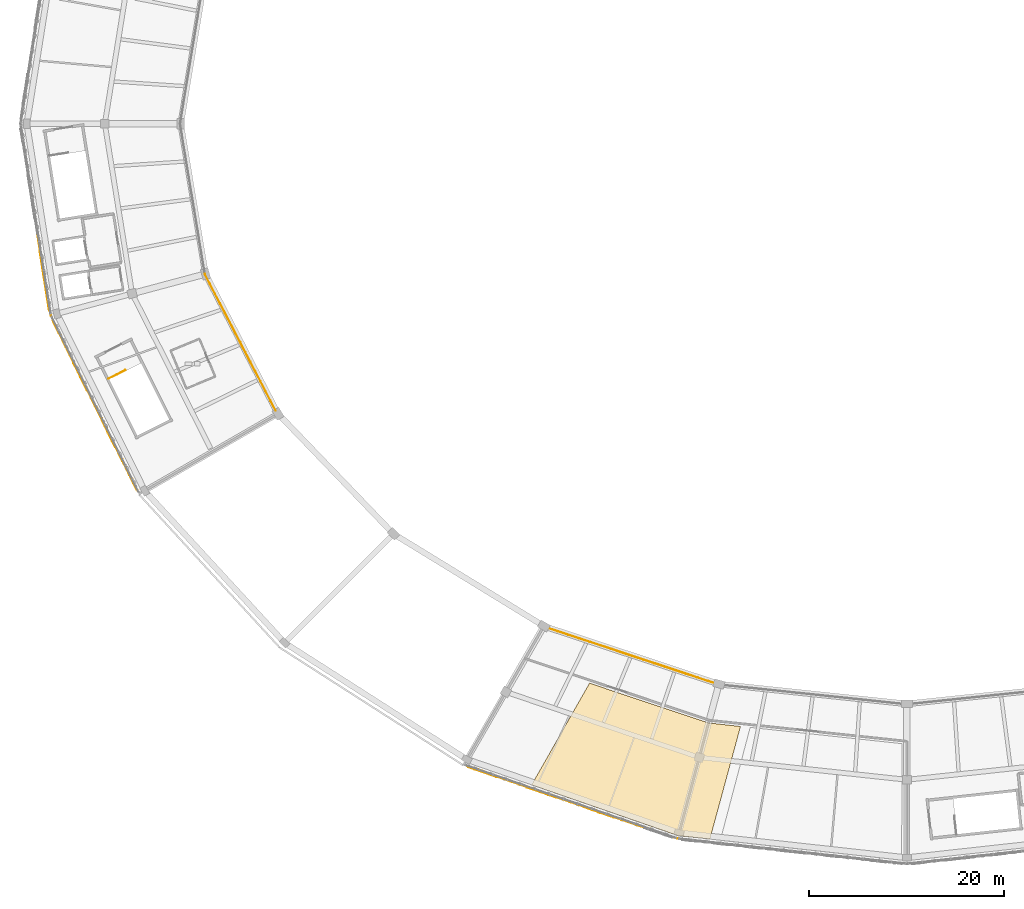
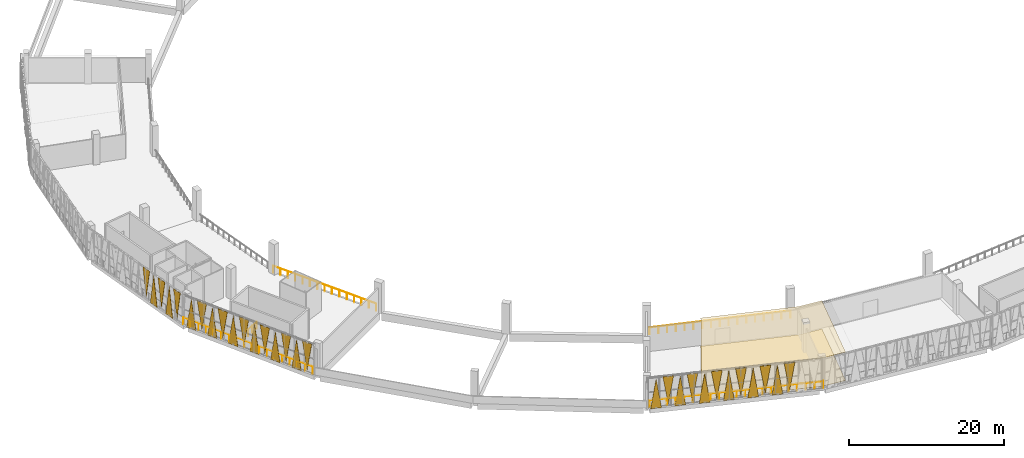
# One storey, part 55 of 64: 31 coverings, 5 railings.
"""IFC4 building model written with IfcOpenShell, lengths in metres."""

from ifc_helpers import new_model, si_unit, direction, frame, origin, origin_2d, place, context, subcontext, project, spatial, polyline, circle, outline, extrude, material, layer, layer_set, type_object, element, save


model = new_model("IFC4")

# Units and contexts
model_context = context("Model", 3, precision=1e-05, world=origin(), true_north=direction((0.0, 1.0)))
body_context = subcontext(model_context, "Body", "Model", "MODEL_VIEW")
ifc_project = project(units=[si_unit("LENGTHUNIT", "METRE"), si_unit("AREAUNIT", "SQUARE_METRE"), si_unit("VOLUMEUNIT", "CUBIC_METRE"), si_unit("PLANEANGLEUNIT", "RADIAN"), si_unit("MASSUNIT", "GRAM", prefix="KILO")], contexts=[model_context])

# Site, building, storey
site_placement = place(None, origin())
site = spatial("IfcSite", under=ifc_project, at=site_placement, CompositionType="ELEMENT")
building_placement = place(site_placement, origin())
building = spatial("IfcBuilding", under=site, at=building_placement, Name="Zevraka Park Crest Stadium", CompositionType="ELEMENT")
storey_placement = place(building_placement, frame((0.0, 0.0, 24.60009765625)))
storey = spatial("IfcBuildingStorey", under=building, at=storey_placement, Name="L05", CompositionType="ELEMENT", Elevation=24.60009765625)

# Coverings
ifc_material_1 = material(Name="Architectural golden-bronze perforated aluminium", Category="aluminium")
ifc_layer_1 = layer(ifc_material_1, 0.034912109375)
ifc_layer_set_1 = layer_set([ifc_layer_1], Name="Architectural golden-bronze perforated aluminium")
covering_type_1 = type_object("IfcCoveringType", Name="CLD01", PredefinedType="CLADDING", material=ifc_layer_set_1)
covering_1_placement = place(storey_placement, frame((23.031982421875, 79.114013671875, 4.599853515625), z_axis=(-0.987787966808, -0.155804140522, 4.9242159e-05), x_axis=(-0.155804140711, 0.987787968006, 0.0)))
element("IfcCovering", 1, at=covering_1_placement, inside=storey, type_object=covering_type_1, Name="Triangular Golden-Bronze Perforated Cladding L05-12-8", PredefinedType="CLADDING", context=body_context, shape_type="SweptSolid", body=[
    extrude(outline(polyline([(0.0, 0.0), (1.424376958868296, -1.6940658945086007e-21), (0.7116046005646023, 4.37988281781015), (0.0, 0.0)])), origin(), (0.0, 0.0, -1.0), 0.034912109375),
])
covering_2_placement = place(storey_placement, frame((23.055908203125, 78.9560546875, -0.22021484375), z_axis=(0.987761575377, 0.155971374908, 2.0427936e-05), x_axis=(0.15597137494, -0.987761575584, 0.0)))
element("IfcCovering", 2, at=covering_2_placement, inside=storey, type_object=covering_type_1, Name="Triangular Golden-Bronze Perforated Cladding L05-12-9", PredefinedType="CLADDING", context=body_context, shape_type="SweptSolid", body=[
    extrude(outline(polyline([(0.0, 0.0), (1.4244150174031942, 0.0), (0.712810390522632, -4.660156250972343), (0.0, 0.0)])), origin(), (0.0, 0.0, -1.0), 0.034912109375),
])
covering_3_placement = place(storey_placement, frame((23.52490234375, 75.98388671875, 4.599853515625), z_axis=(0.987792127663, 0.155777766142, 1.0163909e-05), x_axis=(-0.155777766151, 0.987792127714, 0.0)))
element("IfcCovering", 3, at=covering_3_placement, inside=storey, type_object=covering_type_1, Name="Triangular Golden-Bronze Perforated Cladding L05-12-10", PredefinedType="CLADDING", context=body_context, shape_type="SweptSolid", body=[
    extrude(outline(polyline([(0.0, 0.0), (1.4246181185479923, 0.0), (0.7118077230585413, -4.379882812726232), (0.0, 0.0)])), origin(), (0.0, 0.0, -1.0), 0.034912109375),
])
covering_4_placement = place(storey_placement, frame((23.550048828125, 75.825927734375, -0.22021484375), z_axis=(0.987787967288, 0.155804140598, 3.81182e-05), x_axis=(0.155804140711, -0.987787968006, 0.0)))
element("IfcCovering", 4, at=covering_4_placement, inside=storey, type_object=covering_type_1, Name="Triangular Golden-Bronze Perforated Cladding L05-12-11", PredefinedType="CLADDING", context=body_context, shape_type="SweptSolid", body=[
    extrude(outline(polyline([(0.0, 0.0), (1.424376958868296, 0.0), (0.7125311991318173, -4.660156253385598), (0.0, 0.0)])), origin(), (0.0, 0.0, -1.0), 0.034912109375),
])
covering_5_placement = place(storey_placement, frame((24.01806640625, 72.85400390625, 4.599853515625), z_axis=(0.987893266728, 0.155135069649, 6.0981172e-05), x_axis=(-0.155135069938, 0.987893268565, 0.0)))
element("IfcCovering", 5, at=covering_5_placement, inside=storey, type_object=covering_type_1, Name="Triangular Golden-Bronze Perforated Cladding L05-12-12", PredefinedType="CLADDING", context=body_context, shape_type="SweptSolid", body=[
    extrude(outline(polyline([(0.0, 0.0), (1.4242251330644342, -1.6940658945086007e-21), (0.7114527921727644, -4.3798828206437435), (0.0, 0.0)])), origin(), (0.0, 0.0, -1.0), 0.034912109375),
])
covering_6_placement = place(storey_placement, frame((24.3359375, 71.85498046875, -0.22021484375), z_axis=(-0.895619480658, -0.444821021261, 7.0067675e-05), x_axis=(0.444821022353, -0.895619482857, 0.0)))
element("IfcCovering", 6, at=covering_6_placement, inside=storey, type_object=covering_type_1, Name="Triangular Golden-Bronze Perforated Cladding L05-13-1", PredefinedType="CLADDING", context=body_context, shape_type="SweptSolid", body=[
    extrude(outline(polyline([(0.0, 0.0), (1.4703728050326461, -6.776263578034403e-21), (0.7348033877569146, 4.660156261439471), (0.0, 0.0)])), origin(), (0.0, 0.0, -1.0), 0.034912109375),
])
covering_7_placement = place(storey_placement, frame((25.714111328125, 69.077880859375, 4.599853515625), z_axis=(-0.895916762874, -0.444221935253, 0.00016199135), x_axis=(-0.444221941081, 0.895916774629, 0.0)))
element("IfcCovering", 7, at=covering_7_placement, inside=storey, type_object=covering_type_1, Name="Triangular Golden-Bronze Perforated Cladding L05-13-2", PredefinedType="CLADDING", context=body_context, shape_type="SweptSolid", body=[
    extrude(outline(polyline([(0.0, 0.0), (1.4701573953898759, -1.3552527156068805e-20), (0.7350217347288147, 4.379882869966686), (0.0, 0.0)])), origin(), (0.0, 0.0, -1.0), 0.034912109375),
])
covering_8_placement = place(storey_placement, frame((25.784912109375, 68.93505859375, -0.22021484375), z_axis=(-0.895916773061, -0.444221940304, 5.9159529e-05), x_axis=(0.444221941081, -0.895916774629, 0.0)))
element("IfcCovering", 8, at=covering_8_placement, inside=storey, type_object=covering_type_1, Name="Triangular Golden-Bronze Perforated Cladding L05-13-3", PredefinedType="CLADDING", context=body_context, shape_type="SweptSolid", body=[
    extrude(outline(polyline([(0.0, 0.0), (1.4701573953898759, 0.0), (0.7358966534540385, 4.660156258154923), (0.0, 0.0)])), origin(), (0.0, 0.0, -1.0), 0.034912109375),
])
covering_9_placement = place(storey_placement, frame((27.162109375, 66.156982421875, 4.599853515625), z_axis=(0.895916769005, 0.444221938292, 0.000112051731), x_axis=(-0.444221941081, 0.895916774629, 0.0)))
element("IfcCovering", 9, at=covering_9_placement, inside=storey, type_object=covering_type_1, Name="Triangular Golden-Bronze Perforated Cladding L05-13-4", PredefinedType="CLADDING", context=body_context, shape_type="SweptSolid", body=[
    extrude(outline(polyline([(0.0, 0.0), (1.4701573953898759, 0.0), (0.7352441132833955, -4.379882839996008), (0.0, 0.0)])), origin(), (0.0, 0.0, -1.0), 0.034912109375),
])
covering_10_placement = place(storey_placement, frame((27.23388671875, 66.013916015625, -0.22021484375), z_axis=(0.895883991204, 0.444288037907, 0.000116953168), x_axis=(0.444288040945, -0.895883997331, 0.0)))
element("IfcCovering", 10, at=covering_10_placement, inside=storey, type_object=covering_type_1, Name="Triangular Golden-Bronze Perforated Cladding L05-13-5", PredefinedType="CLADDING", context=body_context, shape_type="SweptSolid", body=[
    extrude(outline(polyline([(0.0, 0.0), (1.469938669709407, 0.0), (0.7352440750727806, -4.66015628187091), (0.0, 0.0)])), origin(), (0.0, 0.0, -1.0), 0.034912109375),
])
covering_11_placement = place(storey_placement, frame((28.611083984375, 63.237060546875, 4.599853515625), z_axis=(-0.89588398371, -0.444288034191, 0.000174374918), x_axis=(-0.444288040945, 0.895883997331, 0.0)))
element("IfcCovering", 11, at=covering_11_placement, inside=storey, type_object=covering_type_1, Name="Triangular Golden-Bronze Perforated Cladding L05-13-6", PredefinedType="CLADDING", context=body_context, shape_type="SweptSolid", body=[
    extrude(outline(polyline([(0.0, 0.0), (1.4699386697094075, -1.3552527156068805e-20), (0.7348030633966232, 4.3798828790887), (0.0, 0.0)])), origin(), (0.0, 0.0, -1.0), 0.034912109375),
])
covering_12_placement = place(storey_placement, frame((28.681884765625, 63.093017578125, -0.22021484375), z_axis=(-0.895916760829, -0.444221934239, 0.000175521099), x_axis=(0.444221941081, -0.895916774629, 0.0)))
element("IfcCovering", 12, at=covering_12_placement, inside=storey, type_object=covering_type_1, Name="Triangular Golden-Bronze Perforated Cladding L05-13-7", PredefinedType="CLADDING", context=body_context, shape_type="SweptSolid", body=[
    extrude(outline(polyline([(0.0, 0.0), (1.4701573953898759, 0.0), (0.7348030050475087, 4.660156321784249), (0.0, 0.0)])), origin(), (0.0, 0.0, -1.0), 0.034912109375),
])
covering_13_placement = place(storey_placement, frame((30.05908203125, 60.31591796875, 4.599853515625), z_axis=(0.895916766244, 0.444221936924, 0.000136813266), x_axis=(-0.444221941081, 0.895916774629, 0.0)))
element("IfcCovering", 13, at=covering_13_placement, inside=storey, type_object=covering_type_1, Name="Triangular Golden-Bronze Perforated Cladding L05-13-8", PredefinedType="CLADDING", context=body_context, shape_type="SweptSolid", body=[
    extrude(outline(polyline([(0.0, 0.0), (1.4701573953898759, 0.0), (0.7354628429647014, -4.37988285349104), (0.0, 0.0)])), origin(), (0.0, 0.0, -1.0), 0.034912109375),
])
covering_14_placement = place(storey_placement, frame((30.131103515625, 60.173095703125, -0.22021484375), z_axis=(0.89598285047, 0.444088626906, 0.000152042501), x_axis=(0.444088632039, -0.895982860826, 0.0)))
element("IfcCovering", 14, at=covering_14_placement, inside=storey, type_object=covering_type_1, Name="Triangular Golden-Bronze Perforated Cladding L05-13-9", PredefinedType="CLADDING", context=body_context, shape_type="SweptSolid", body=[
    extrude(outline(polyline([(0.0, 0.0), (1.4700489590400176, -1.3552527156068805e-20), (0.7353545039067246, -4.660156303864236), (0.0, 0.0)])), origin(), (0.0, 0.0, -1.0), 0.034912109375),
])
covering_15_placement = place(storey_placement, frame((31.508056640625, 57.39501953125, 4.599853515625), z_axis=(-0.89588399479, -0.444288039685, 7.5314042e-05), x_axis=(-0.444288040945, 0.895883997331, 0.0)))
element("IfcCovering", 15, at=covering_15_placement, inside=storey, type_object=covering_type_1, Name="Triangular Golden-Bronze Perforated Cladding L05-13-10", PredefinedType="CLADDING", context=body_context, shape_type="SweptSolid", body=[
    extrude(outline(polyline([(0.0, 0.0), (1.469938669709407, 0.0), (0.7356779501127663, 4.379882824921798), (0.0, 0.0)])), origin(), (0.0, 0.0, -1.0), 0.034912109375),
])
covering_16_placement = place(storey_placement, frame((31.5791015625, 57.251953125, -0.22021484375), z_axis=(-0.895950091947, -0.444154717439, 0.000140413329), x_axis=(0.444154721818, -0.89595010078, 0.0)))
element("IfcCovering", 16, at=covering_16_placement, inside=storey, type_object=covering_type_1, Name="Triangular Golden-Bronze Perforated Cladding L05-13-11", PredefinedType="CLADDING", context=body_context, shape_type="SweptSolid", body=[
    extrude(outline(polyline([(0.0, 0.0), (1.4698302172231181, 0.0), (0.7346945053991754, 4.660156295939595), (0.0, 0.0)])), origin(), (0.0, 0.0, -1.0), 0.034912109375),
])
covering_17_placement = place(storey_placement, frame((32.95703125, 54.47509765625, 4.599853515625), z_axis=(-0.895619480368, -0.444821021117, 7.4551381e-05), x_axis=(-0.444821022353, 0.895619482857, 0.0)))
element("IfcCovering", 17, at=covering_17_placement, inside=storey, type_object=covering_type_1, Name="Triangular Golden-Bronze Perforated Cladding L05-13-12", PredefinedType="CLADDING", context=body_context, shape_type="SweptSolid", body=[
    extrude(outline(polyline([(0.0, 0.0), (1.4703728050326461, 0.0), (0.7348033877569146, 4.379882824671494), (0.0, 0.0)])), origin(), (0.0, 0.0, -1.0), 0.034912109375),
])
covering_18_placement = place(storey_placement, frame((67.0009765625, 26.009033203125, -0.22021484375), z_axis=(0.326876778468, 0.945066958674, 0.00012377763), x_axis=(0.945066965914, -0.326876780972, 0.0)))
element("IfcCovering", 18, at=covering_18_placement, inside=storey, type_object=covering_type_1, Name="Triangular Golden-Bronze Perforated Cladding L05-16-1", PredefinedType="CLADDING", context=body_context, shape_type="SweptSolid", body=[
    extrude(outline(polyline([(0.0, 0.0), (1.4347734924150557, 6.776263578034403e-21), (0.7175862559615392, -4.660156285698899), (0.0, 0.0)])), origin(), (0.0, 0.0, -1.0), 0.034912109375),
])
covering_19_placement = place(storey_placement, frame((69.863037109375, 25.01904296875, 4.599853515625), z_axis=(0.326478757081, 0.945204539279, 1.0053247e-05), x_axis=(-0.945204539327, 0.326478757097, 0.0)))
element("IfcCovering", 19, at=covering_19_placement, inside=storey, type_object=covering_type_1, Name="Triangular Golden-Bronze Perforated Cladding L05-16-2", PredefinedType="CLADDING", context=body_context, shape_type="SweptSolid", body=[
    extrude(outline(polyline([(0.0, 0.0), (1.4335314869677471, 0.0), (0.716264364466002, -4.379882812721332), (0.0, 0.0)])), origin(), (0.0, 0.0, -1.0), 0.034912109375),
])
covering_20_placement = place(storey_placement, frame((70.014892578125, 24.966064453125, -0.22021484375), z_axis=(-0.3270345498, -0.945012382061, 3.1429809e-05), x_axis=(0.945012382528, -0.327034549962, 0.0)))
element("IfcCovering", 20, at=covering_20_placement, inside=storey, type_object=covering_type_1, Name="Triangular Golden-Bronze Perforated Cladding L05-16-3", PredefinedType="CLADDING", context=body_context, shape_type="SweptSolid", body=[
    extrude(outline(polyline([(0.0, 0.0), (1.4340813246800908, -1.6940658945086007e-21), (0.7163441089266511, 4.660156252301728), (0.0, 0.0)])), origin(), (0.0, 0.0, -1.0), 0.034912109375),
])
covering_21_placement = place(storey_placement, frame((72.876953125, 23.97607421875, 4.599853515625), z_axis=(-0.327087166822, -0.944994157138, 0.000168152716), x_axis=(-0.944994170498, 0.327087171446, 0.0)))
element("IfcCovering", 21, at=covering_21_placement, inside=storey, type_object=covering_type_1, Name="Triangular Golden-Bronze Perforated Cladding L05-16-4", PredefinedType="CLADDING", context=body_context, shape_type="SweptSolid", body=[
    extrude(outline(polyline([(0.0, 0.0), (1.433850610989357, 0.0), (0.7171870902633259, 4.37988287442133), (0.0, 0.0)])), origin(), (0.0, 0.0, -1.0), 0.034912109375),
])
covering_22_placement = place(storey_placement, frame((73.028076171875, 23.924072265625, -0.22021484375), z_axis=(0.326876778468, 0.945066958674, 0.00012377763), x_axis=(0.945066965914, -0.326876780972, 0.0)))
element("IfcCovering", 22, at=covering_22_placement, inside=storey, type_object=covering_type_1, Name="Triangular Golden-Bronze Perforated Cladding L05-16-5", PredefinedType="CLADDING", context=body_context, shape_type="SweptSolid", body=[
    extrude(outline(polyline([(0.0, 0.0), (1.4347734924150557, 6.776263578034403e-21), (0.7175862559615392, -4.660156285698899), (0.0, 0.0)])), origin(), (0.0, 0.0, -1.0), 0.034912109375),
])
covering_23_placement = place(storey_placement, frame((75.89111328125, 22.93310546875, 4.599853515625), z_axis=(0.32682422231, 0.945085140516, 6.9911683e-05), x_axis=(-0.945085142826, 0.326824223109, 0.0)))
element("IfcCovering", 23, at=covering_23_placement, inside=storey, type_object=covering_type_1, Name="Triangular Golden-Bronze Perforated Cladding L05-16-6", PredefinedType="CLADDING", context=body_context, shape_type="SweptSolid", body=[
    extrude(outline(polyline([(0.0, 0.0), (1.4350042238738205, 0.0), (0.7177371653807764, -4.379882823203652), (0.0, 0.0)])), origin(), (0.0, 0.0, -1.0), 0.034912109375),
])
covering_24_placement = place(storey_placement, frame((76.0419921875, 22.881103515625, -0.22021484375), z_axis=(-0.326876780071, -0.945066963307, 7.4266578e-05), x_axis=(0.945066965914, -0.326876780972, 0.0)))
element("IfcCovering", 24, at=covering_24_placement, inside=storey, type_object=covering_type_1, Name="Triangular Golden-Bronze Perforated Cladding L05-16-7", PredefinedType="CLADDING", context=body_context, shape_type="SweptSolid", body=[
    extrude(outline(polyline([(0.0, 0.0), (1.4347734924150557, 6.776263578034403e-21), (0.717267040355121, 4.660156262851604), (0.0, 0.0)])), origin(), (0.0, 0.0, -1.0), 0.034912109375),
])
covering_25_placement = place(storey_placement, frame((78.905029296875, 21.89111328125, 4.599853515625), z_axis=(-0.326876778138, -0.945066957718, 0.000131698294), x_axis=(-0.945066965914, 0.326876780972, 0.0)))
element("IfcCovering", 25, at=covering_25_placement, inside=storey, type_object=covering_type_1, Name="Triangular Golden-Bronze Perforated Cladding L05-16-8", PredefinedType="CLADDING", context=body_context, shape_type="SweptSolid", body=[
    extrude(outline(polyline([(0.0, 0.0), (1.4347734924150557, 6.776263578034403e-21), (0.7171872364535165, 4.379882850483309), (0.0, 0.0)])), origin(), (0.0, 0.0, -1.0), 0.034912109375),
])
covering_26_placement = place(storey_placement, frame((79.055908203125, 21.839111328125, -0.22021484375), z_axis=(0.326824220246, 0.945085134549, 0.000132340997), x_axis=(0.945085142826, -0.326824223109, 0.0)))
element("IfcCovering", 26, at=covering_26_placement, inside=storey, type_object=covering_type_1, Name="Triangular Golden-Bronze Perforated Cladding L05-16-9", PredefinedType="CLADDING", context=body_context, shape_type="SweptSolid", body=[
    extrude(outline(polyline([(0.0, 0.0), (1.4350042238738205, -6.776263578034403e-21), (0.7175862227734235, -4.660156290809314), (0.0, 0.0)])), origin(), (0.0, 0.0, -1.0), 0.034912109375),
])
covering_27_placement = place(storey_placement, frame((81.9189453125, 20.847900390625, 4.599853515625), z_axis=(0.326876778138, 0.945066957718, 0.000131698294), x_axis=(-0.945066965914, 0.326876780972, 0.0)))
element("IfcCovering", 27, at=covering_27_placement, inside=storey, type_object=covering_type_1, Name="Triangular Golden-Bronze Perforated Cladding L05-16-10", PredefinedType="CLADDING", context=body_context, shape_type="SweptSolid", body=[
    extrude(outline(polyline([(0.0, 0.0), (1.4347734924150557, 6.776263578034403e-21), (0.7175862559615392, -4.379882850483309), (0.0, 0.0)])), origin(), (0.0, 0.0, -1.0), 0.034912109375),
])
covering_28_placement = place(storey_placement, frame((82.070068359375, 20.7958984375, -0.22021484375), z_axis=(-0.327087167362, -0.944994158697, 0.000158039592), x_axis=(0.944994170498, -0.327087171446, 0.0)))
element("IfcCovering", 28, at=covering_28_placement, inside=storey, type_object=covering_type_1, Name="Triangular Golden-Bronze Perforated Cladding L05-16-11", PredefinedType="CLADDING", context=body_context, shape_type="SweptSolid", body=[
    extrude(outline(polyline([(0.0, 0.0), (1.433850610989357, 0.0), (0.7171870902633259, 4.660156308197227), (0.0, 0.0)])), origin(), (0.0, 0.0, -1.0), 0.034912109375),
])
covering_29_placement = place(storey_placement, frame((84.931884765625, 19.805908203125, 4.599853515625), z_axis=(-0.32708717115, -0.944994169643, 4.2548323e-05), x_axis=(-0.944994170498, 0.327087171446, 0.0)))
element("IfcCovering", 29, at=covering_29_placement, inside=storey, type_object=covering_type_1, Name="Triangular Golden-Bronze Perforated Cladding L05-16-12", PredefinedType="CLADDING", context=body_context, shape_type="SweptSolid", body=[
    extrude(outline(polyline([(0.0, 0.0), (1.433850610989357, 3.3881317890172014e-21), (0.7163440996601654, 4.379882816464582), (0.0, 0.0)])), origin(), (0.0, 0.0, -1.0), 0.034912109375),
])
ifc_material_2 = material(Name="Perforated acoustic mineral-fibre suspended ceiling", Category="other")
ifc_layer_2 = layer(ifc_material_2, 0.02490234375)
ifc_layer_set_2 = layer_set([ifc_layer_2], Name="Perforated acoustic mineral-fibre suspended ceiling")
covering_type_2 = type_object("IfcCoveringType", Name="CLG01", PredefinedType="CEILING", material=ifc_layer_set_2)
covering_30_placement = place(storey_placement, frame((0.0, 0.0, 4.47998046875)))
element("IfcCovering", 30, at=covering_30_placement, inside=storey, type_object=covering_type_2, Name="Acoustic Ceiling Accredited Media Dining Lounge L05-027", PredefinedType="CEILING", context=body_context, shape_type="SweptSolid", body=[
    extrude(outline(polyline([(88.534912109375, 18.962890625), (73.489013671875, 24.176025390625), (79.43603515625, 34.613037109375), (91.636962890625, 30.541015625), (91.656982421875, 30.535888671875), (91.677978515625, 30.531982421875), (94.925048828125, 30.1708984375), (91.787109375, 18.6259765625), (88.534912109375, 18.962890625)])), origin(), (0.0, 0.0, 1.0), 0.02490234375),
])
ifc_material_3 = material(Name="Honed terrazzo and slip-resistant sports flooring", Category="other")
ifc_layer_3 = layer(ifc_material_3, 0.0400390625)
ifc_layer_set_3 = layer_set([ifc_layer_3], Name="Honed terrazzo and slip-resistant sports flooring")
covering_type_3 = type_object("IfcCoveringType", Name="FLR01", PredefinedType="FLOORING", material=ifc_layer_set_3)
covering_31_placement = place(storey_placement, origin())
element("IfcCovering", 31, at=covering_31_placement, inside=storey, type_object=covering_type_3, Name="Terrazzo Floor Finish Accredited Media Dining Lounge L05-027", PredefinedType="FLOORING", context=body_context, shape_type="SweptSolid", body=[
    extrude(outline(polyline([(88.534912109375, 18.962890625), (73.489013671875, 24.176025390625), (79.43603515625, 34.613037109375), (91.636962890625, 30.541015625), (91.656982421875, 30.535888671875), (91.677978515625, 30.531982421875), (94.925048828125, 30.1708984375), (91.787109375, 18.6259765625), (88.534912109375, 18.962890625)])), origin(), (0.0, 0.0, 1.0), 0.039794921875),
])

# Railings
ifc_material_4 = material(Name="Galvanised and bronze-finished steel balustrade", Category="steel")
railing_type_1 = type_object("IfcRailingType", Name="GR01", PredefinedType="GUARDRAIL", material=ifc_material_4)
railing_1_placement = place(storey_placement, frame((75.092041015625, 40.283935546875, 0.0)))
element("IfcRailing", 32, at=railing_1_placement, inside=storey, type_object=railing_type_1, Name="Deck Edge Protection Guardrail GR01 L05-9", PredefinedType="GUARDRAIL", context=body_context, shape_type="SweptSolid", body=[
    extrude(circle(Radius=0.02392578125, at=origin_2d()), frame((0.0, 0.0, 1.076171875), z_axis=(0.949420228178, -0.314008328436, 0.0), x_axis=(0.314008328436, 0.949420228178, 0.0)), (0.0, 0.0, 1.0), 18.553466796875),
    extrude(circle(Radius=0.02099609375, at=origin_2d()), origin(), (0.0, 0.0, 1.0), 1.052001953125),
    extrude(circle(Radius=0.02099609375, at=origin_2d()), frame((1.100830078125, -0.364013671875, 0.0)), (0.0, 0.0, 1.0), 1.052001953125),
    extrude(circle(Radius=0.02099609375, at=origin_2d()), frame((2.201904296875, -0.728271484375, 0.0)), (0.0, 0.0, 1.0), 1.052001953125),
    extrude(circle(Radius=0.02099609375, at=origin_2d()), frame((3.302734375, -1.09228515625, 0.0)), (0.0, 0.0, 1.0), 1.052001953125),
    extrude(circle(Radius=0.02099609375, at=origin_2d()), frame((4.40380859375, -1.45654296875, 0.0)), (0.0, 0.0, 1.0), 1.052001953125),
    extrude(circle(Radius=0.02099609375, at=origin_2d()), frame((5.504638671875, -1.820556640625, 0.0)), (0.0, 0.0, 1.0), 1.052001953125),
    extrude(circle(Radius=0.02099609375, at=origin_2d()), frame((6.605712890625, -2.184814453125, 0.0)), (0.0, 0.0, 1.0), 1.052001953125),
    extrude(circle(Radius=0.02099609375, at=origin_2d()), frame((7.70654296875, -2.548828125, 0.0)), (0.0, 0.0, 1.0), 1.052001953125),
    extrude(circle(Radius=0.02099609375, at=origin_2d()), frame((8.8076171875, -2.9130859375, 0.0)), (0.0, 0.0, 1.0), 1.052001953125),
    extrude(circle(Radius=0.02099609375, at=origin_2d()), frame((9.908447265625, -3.277099609375, 0.0)), (0.0, 0.0, 1.0), 1.052001953125),
    extrude(circle(Radius=0.02099609375, at=origin_2d()), frame((11.00927734375, -3.64111328125, 0.0)), (0.0, 0.0, 1.0), 1.052001953125),
    extrude(circle(Radius=0.02099609375, at=origin_2d()), frame((12.1103515625, -4.00537109375, 0.0)), (0.0, 0.0, 1.0), 1.052001953125),
    extrude(circle(Radius=0.02099609375, at=origin_2d()), frame((13.211181640625, -4.369384765625, 0.0)), (0.0, 0.0, 1.0), 1.052001953125),
    extrude(circle(Radius=0.02099609375, at=origin_2d()), frame((14.312255859375, -4.733642578125, 0.0)), (0.0, 0.0, 1.0), 1.052001953125),
    extrude(circle(Radius=0.02099609375, at=origin_2d()), frame((15.4130859375, -5.09765625, 0.0)), (0.0, 0.0, 1.0), 1.052001953125),
    extrude(circle(Radius=0.02099609375, at=origin_2d()), frame((16.51416015625, -5.4619140625, 0.0)), (0.0, 0.0, 1.0), 1.052001953125),
    extrude(circle(Radius=0.02099609375, at=origin_2d()), frame((17.614990234375, -5.825927734375, 0.0)), (0.0, 0.0, 1.0), 1.052001953125),
])
railing_2_placement = place(storey_placement, frame((88.4619140625, 18.658935546875, 0.0)))
element("IfcRailing", 33, at=railing_2_placement, inside=storey, type_object=railing_type_1, Name="Deck Edge Protection Guardrail GR01 L05-16", PredefinedType="GUARDRAIL", context=body_context, shape_type="SweptSolid", body=[
    extrude(circle(Radius=0.02392578125, at=origin_2d()), frame((0.0, 0.0, 1.076171875), z_axis=(-0.945052369108, 0.326918980244, 0.0), x_axis=(-0.326918980244, -0.945052369108, 0.0)), (0.0, 0.0, 1.0), 22.803955078125),
    extrude(circle(Radius=0.02099609375, at=origin_2d()), origin(), (0.0, 0.0, 1.0), 1.052001953125),
    extrude(circle(Radius=0.02099609375, at=origin_2d()), frame((-1.07763671875, 0.372802734375, 0.0)), (0.0, 0.0, 1.0), 1.052001953125),
    extrude(circle(Radius=0.02099609375, at=origin_2d()), frame((-2.155029296875, 0.74560546875, 0.0)), (0.0, 0.0, 1.0), 1.052001953125),
    extrude(circle(Radius=0.02099609375, at=origin_2d()), frame((-3.232666015625, 1.1181640625, 0.0)), (0.0, 0.0, 1.0), 1.052001953125),
    extrude(circle(Radius=0.02099609375, at=origin_2d()), frame((-4.310302734375, 1.490966796875, 0.0)), (0.0, 0.0, 1.0), 1.052001953125),
    extrude(circle(Radius=0.02099609375, at=origin_2d()), frame((-5.3876953125, 1.86376953125, 0.0)), (0.0, 0.0, 1.0), 1.052001953125),
    extrude(circle(Radius=0.02099609375, at=origin_2d()), frame((-6.46533203125, 2.236572265625, 0.0)), (0.0, 0.0, 1.0), 1.052001953125),
    extrude(circle(Radius=0.02099609375, at=origin_2d()), frame((-7.54296875, 2.609375, 0.0)), (0.0, 0.0, 1.0), 1.052001953125),
    extrude(circle(Radius=0.02099609375, at=origin_2d()), frame((-8.620361328125, 2.98193359375, 0.0)), (0.0, 0.0, 1.0), 1.052001953125),
    extrude(circle(Radius=0.02099609375, at=origin_2d()), frame((-9.697998046875, 3.354736328125, 0.0)), (0.0, 0.0, 1.0), 1.052001953125),
    extrude(circle(Radius=0.02099609375, at=origin_2d()), frame((-10.775390625, 3.7275390625, 0.0)), (0.0, 0.0, 1.0), 1.052001953125),
    extrude(circle(Radius=0.02099609375, at=origin_2d()), frame((-11.85302734375, 4.100341796875, 0.0)), (0.0, 0.0, 1.0), 1.052001953125),
    extrude(circle(Radius=0.02099609375, at=origin_2d()), frame((-12.9306640625, 4.47314453125, 0.0)), (0.0, 0.0, 1.0), 1.052001953125),
    extrude(circle(Radius=0.02099609375, at=origin_2d()), frame((-14.008056640625, 4.845703125, 0.0)), (0.0, 0.0, 1.0), 1.052001953125),
    extrude(circle(Radius=0.02099609375, at=origin_2d()), frame((-15.085693359375, 5.218505859375, 0.0)), (0.0, 0.0, 1.0), 1.052001953125),
    extrude(circle(Radius=0.02099609375, at=origin_2d()), frame((-16.163330078125, 5.59130859375, 0.0)), (0.0, 0.0, 1.0), 1.052001953125),
    extrude(circle(Radius=0.02099609375, at=origin_2d()), frame((-17.24072265625, 5.964111328125, 0.0)), (0.0, 0.0, 1.0), 1.052001953125),
    extrude(circle(Radius=0.02099609375, at=origin_2d()), frame((-18.318359375, 6.3369140625, 0.0)), (0.0, 0.0, 1.0), 1.052001953125),
    extrude(circle(Radius=0.02099609375, at=origin_2d()), frame((-19.39599609375, 6.70947265625, 0.0)), (0.0, 0.0, 1.0), 1.052001953125),
    extrude(circle(Radius=0.02099609375, at=origin_2d()), frame((-20.473388671875, 7.082275390625, 0.0)), (0.0, 0.0, 1.0), 1.052001953125),
    extrude(circle(Radius=0.02099609375, at=origin_2d()), frame((-21.551025390625, 7.455078125, 0.0)), (0.0, 0.0, 1.0), 1.052001953125),
])
railing_3_placement = place(storey_placement, frame((39.97412109375, 76.574951171875, 0.0)))
element("IfcRailing", 34, at=railing_3_placement, inside=storey, type_object=railing_type_1, Name="Deck Edge Protection Guardrail GR01 L05-30", PredefinedType="GUARDRAIL", context=body_context, shape_type="SweptSolid", body=[
    extrude(circle(Radius=0.02392578125, at=origin_2d()), frame((0.0, 0.0, 1.076171875), z_axis=(0.460360955046, -0.887731823846, 0.0), x_axis=(0.887731823846, 0.460360955046, 0.0)), (0.0, 0.0, 1.0), 15.78515625),
    extrude(circle(Radius=0.02099609375, at=origin_2d()), origin(), (0.0, 0.0, 1.0), 1.052001953125),
    extrude(circle(Radius=0.02099609375, at=origin_2d()), frame((0.51904296875, -1.0009765625, 0.0)), (0.0, 0.0, 1.0), 1.052001953125),
    extrude(circle(Radius=0.02099609375, at=origin_2d()), frame((1.0380859375, -2.001953125, 0.0)), (0.0, 0.0, 1.0), 1.052001953125),
    extrude(circle(Radius=0.02099609375, at=origin_2d()), frame((1.55712890625, -3.002685546875, 0.0)), (0.0, 0.0, 1.0), 1.052001953125),
    extrude(circle(Radius=0.02099609375, at=origin_2d()), frame((2.076171875, -4.003662109375, 0.0)), (0.0, 0.0, 1.0), 1.052001953125),
    extrude(circle(Radius=0.02099609375, at=origin_2d()), frame((2.59521484375, -5.004638671875, 0.0)), (0.0, 0.0, 1.0), 1.052001953125),
    extrude(circle(Radius=0.02099609375, at=origin_2d()), frame((3.1142578125, -6.005615234375, 0.0)), (0.0, 0.0, 1.0), 1.052001953125),
    extrude(circle(Radius=0.02099609375, at=origin_2d()), frame((3.63330078125, -7.00634765625, 0.0)), (0.0, 0.0, 1.0), 1.052001953125),
    extrude(circle(Radius=0.02099609375, at=origin_2d()), frame((4.152587890625, -8.00732421875, 0.0)), (0.0, 0.0, 1.0), 1.052001953125),
    extrude(circle(Radius=0.02099609375, at=origin_2d()), frame((4.671630859375, -9.00830078125, 0.0)), (0.0, 0.0, 1.0), 1.052001953125),
    extrude(circle(Radius=0.02099609375, at=origin_2d()), frame((5.190673828125, -10.00927734375, 0.0)), (0.0, 0.0, 1.0), 1.052001953125),
    extrude(circle(Radius=0.02099609375, at=origin_2d()), frame((5.709716796875, -11.01025390625, 0.0)), (0.0, 0.0, 1.0), 1.052001953125),
    extrude(circle(Radius=0.02099609375, at=origin_2d()), frame((6.228759765625, -12.010986328125, 0.0)), (0.0, 0.0, 1.0), 1.052001953125),
    extrude(circle(Radius=0.02099609375, at=origin_2d()), frame((6.747802734375, -13.011962890625, 0.0)), (0.0, 0.0, 1.0), 1.052001953125),
    extrude(circle(Radius=0.02099609375, at=origin_2d()), frame((7.266845703125, -14.012939453125, 0.0)), (0.0, 0.0, 1.0), 1.052001953125),
])
railing_4_placement = place(storey_placement, frame((33.0791015625, 54.385009765625, 0.0)))
element("IfcRailing", 35, at=railing_4_placement, inside=storey, type_object=railing_type_1, Name="Deck Edge Protection Guardrail GR01 L05-31", PredefinedType="GUARDRAIL", context=body_context, shape_type="SweptSolid", body=[
    extrude(circle(Radius=0.02392578125, at=origin_2d()), frame((0.0, 0.0, 1.076171875), z_axis=(-0.444343152442, 0.895856664248, 0.0), x_axis=(-0.895856664248, -0.444343152442, 0.0)), (0.0, 0.0, 1.0), 20.0546875),
    extrude(circle(Radius=0.02099609375, at=origin_2d()), origin(), (0.0, 0.0, 1.0), 1.052001953125),
    extrude(circle(Radius=0.02099609375, at=origin_2d()), frame((-0.524169921875, 1.056884765625, 0.0)), (0.0, 0.0, 1.0), 1.052001953125),
    extrude(circle(Radius=0.02099609375, at=origin_2d()), frame((-1.04833984375, 2.11376953125, 0.0)), (0.0, 0.0, 1.0), 1.052001953125),
    extrude(circle(Radius=0.02099609375, at=origin_2d()), frame((-1.572509765625, 3.17041015625, 0.0)), (0.0, 0.0, 1.0), 1.052001953125),
    extrude(circle(Radius=0.02099609375, at=origin_2d()), frame((-2.0966796875, 4.227294921875, 0.0)), (0.0, 0.0, 1.0), 1.052001953125),
    extrude(circle(Radius=0.02099609375, at=origin_2d()), frame((-2.620849609375, 5.2841796875, 0.0)), (0.0, 0.0, 1.0), 1.052001953125),
    extrude(circle(Radius=0.02099609375, at=origin_2d()), frame((-3.14501953125, 6.341064453125, 0.0)), (0.0, 0.0, 1.0), 1.052001953125),
    extrude(circle(Radius=0.02099609375, at=origin_2d()), frame((-3.669189453125, 7.397705078125, 0.0)), (0.0, 0.0, 1.0), 1.052001953125),
    extrude(circle(Radius=0.02099609375, at=origin_2d()), frame((-4.193359375, 8.45458984375, 0.0)), (0.0, 0.0, 1.0), 1.052001953125),
    extrude(circle(Radius=0.02099609375, at=origin_2d()), frame((-4.7177734375, 9.511474609375, 0.0)), (0.0, 0.0, 1.0), 1.052001953125),
    extrude(circle(Radius=0.02099609375, at=origin_2d()), frame((-5.241943359375, 10.568359375, 0.0)), (0.0, 0.0, 1.0), 1.052001953125),
    extrude(circle(Radius=0.02099609375, at=origin_2d()), frame((-5.76611328125, 11.625, 0.0)), (0.0, 0.0, 1.0), 1.052001953125),
    extrude(circle(Radius=0.02099609375, at=origin_2d()), frame((-6.290283203125, 12.681884765625, 0.0)), (0.0, 0.0, 1.0), 1.052001953125),
    extrude(circle(Radius=0.02099609375, at=origin_2d()), frame((-6.814453125, 13.73876953125, 0.0)), (0.0, 0.0, 1.0), 1.052001953125),
    extrude(circle(Radius=0.02099609375, at=origin_2d()), frame((-7.338623046875, 14.795654296875, 0.0)), (0.0, 0.0, 1.0), 1.052001953125),
    extrude(circle(Radius=0.02099609375, at=origin_2d()), frame((-7.86279296875, 15.852294921875, 0.0)), (0.0, 0.0, 1.0), 1.052001953125),
    extrude(circle(Radius=0.02099609375, at=origin_2d()), frame((-8.386962890625, 16.9091796875, 0.0)), (0.0, 0.0, 1.0), 1.052001953125),
    extrude(circle(Radius=0.02099609375, at=origin_2d()), frame((-8.9111328125, 17.966064453125, 0.0)), (0.0, 0.0, 1.0), 1.052001953125),
])
ifc_material_5 = material(Name="Powder-coated tubular steel stairwell guard", Category="steel")
railing_type_2 = type_object("IfcRailingType", Name="GR03", PredefinedType="GUARDRAIL", material=ifc_material_5)
railing_5_placement = place(storey_placement, frame((30.06640625, 65.847412109375, 0.0)))
element("IfcRailing", 36, at=railing_5_placement, inside=storey, type_object=railing_type_2, Name="L05 ST14 top well guard 1", PredefinedType="GUARDRAIL", context=body_context, shape_type="SweptSolid", body=[
    extrude(circle(Radius=0.02392578125, at=origin_2d()), frame((0.0, 0.0, 1.076171875), z_axis=(0.89407815629, 0.447910984957, 0.0), x_axis=(-0.447910984957, 0.89407815629, 0.0)), (0.0, 0.0, 1.0), 1.9599609375),
    extrude(circle(Radius=0.02099609375, at=origin_2d()), origin(), (0.0, 0.0, 1.0), 1.052001953125),
    extrude(circle(Radius=0.02099609375, at=origin_2d()), frame((0.876220703125, 0.43896484375, 0.0)), (0.0, 0.0, 1.0), 1.052001953125),
    extrude(circle(Radius=0.02099609375, at=origin_2d()), frame((1.75244140625, 0.8779296875, 0.0)), (0.0, 0.0, 1.0), 1.052001953125),
])

save(model, "model.ifc")
